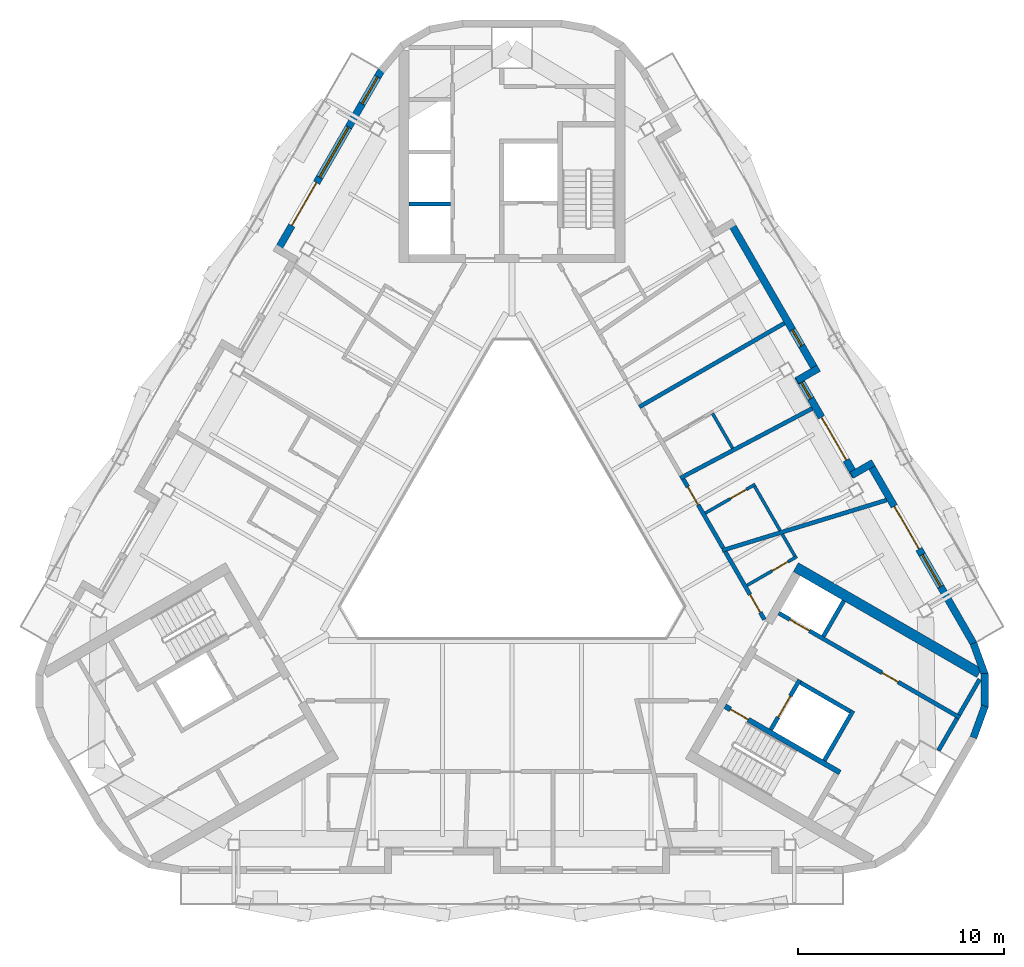
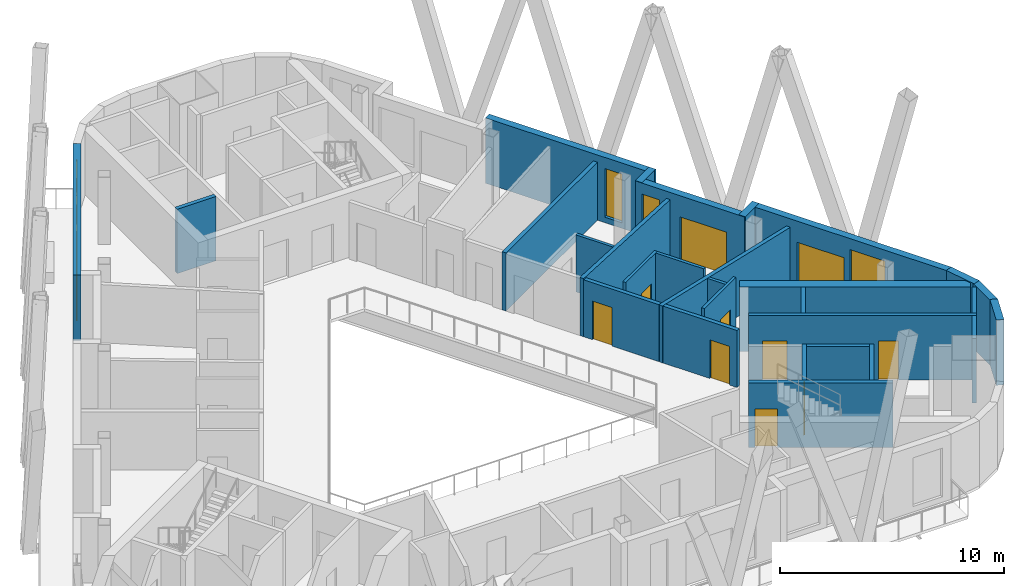
# One storey, part 6 of 12: 29 walls, 11 doors, 5 windows, 16 openings.
"""IFC4 building model written with IfcOpenShell, lengths in metres."""

from ifc_helpers import new_model, si_unit, direction, frame, frame_2d, origin, place, context, subcontext, project, spatial, rectangle, extrude, material, layer, layer_set, type_object, element, fill, save


model = new_model("IFC4")

# Units and contexts
model_context = context("Model", 3, precision=1e-05, world=origin(), true_north=direction((0.0, 1.0)))
body_context = subcontext(model_context, "Body", "Model", "MODEL_VIEW")
ifc_project = project(units=[si_unit("LENGTHUNIT", "METRE"), si_unit("AREAUNIT", "SQUARE_METRE"), si_unit("VOLUMEUNIT", "CUBIC_METRE"), si_unit("PLANEANGLEUNIT", "RADIAN"), si_unit("MASSUNIT", "GRAM", prefix="KILO")], contexts=[model_context])

# Site, building, storey
site_placement = place(None, origin())
site = spatial("IfcSite", under=ifc_project, at=site_placement, CompositionType="ELEMENT")
building_placement = place(site_placement, origin())
building = spatial("IfcBuilding", under=site, at=building_placement, Name="Apuvela Tower Hotel", CompositionType="ELEMENT")
storey_placement = place(building_placement, frame((0.0, 0.0, 302.199951171875)))
storey = spatial("IfcBuildingStorey", under=building, at=storey_placement, Name="L75", CompositionType="ELEMENT", Elevation=302.199951171875)

# Walls
ifc_material_1 = material(Name="Concrete C50/60", Category="concrete")
ifc_layer_1 = layer(ifc_material_1, 0.5)
ifc_layer_set_1 = layer_set([ifc_layer_1], Name="COR-WALL-CORE-500")
wall_type_1 = type_object("IfcWallType", Name="COR-WALL-CORE-500", PredefinedType="SHEAR", material=ifc_layer_set_1)
wall_1_placement = place(storey_placement, frame((13.796630859375, -1.9033203125, 0.0), z_axis=(0.0, 0.0, 1.0), x_axis=(0.866027279078, -0.499996751883, 0.0)))
element("IfcWall", 1, at=wall_1_placement, inside=storey, type_object=wall_type_1, Name="Core wall SE", PredefinedType="SHEAR", context=body_context, shape_type="SweptSolid", body=[
    extrude(rectangle(XDim=10.29833984375, YDim=0.5, at=frame_2d((5.149169921875, 0.0))), origin(), (0.0, 0.0, 1.0), 3.5),
])
ifc_layer_2 = layer(ifc_material_1, 0.199951171875)
ifc_layer_set_2 = layer_set([ifc_layer_2], Name="COR-WALL-SHAFT-200")
wall_type_2 = type_object("IfcWallType", Name="COR-WALL-SHAFT-200", PredefinedType="SHEAR", material=ifc_layer_set_2)
wall_2_placement = place(storey_placement, frame((-3.0, 15.739990234375, 0.0), z_axis=(0.0, 0.0, 1.0), x_axis=(-1.0, 0.0, 0.0)))
element("IfcWall", 2, at=wall_2_placement, inside=storey, type_object=wall_type_2, Name="Shaft wall N", PredefinedType="SHEAR", context=body_context, shape_type="SweptSolid", body=[
    extrude(rectangle(XDim=2.0, YDim=0.199951171875, at=frame_2d((1.0, 0.0))), origin(), (0.0, 0.0, 1.0), 3.5),
])
wall_3_placement = place(storey_placement, frame((15.181396484375, -11.305419921875, 0.0), z_axis=(0.0, 0.0, 1.0), x_axis=(0.49994636267, 0.866056369097, 0.0)))
element("IfcWall", 3, at=wall_3_placement, inside=storey, type_object=wall_type_2, Name="Shaft wall SE", PredefinedType="SHEAR", context=body_context, shape_type="SweptSolid", body=[
    extrude(rectangle(XDim=2.800048828125, YDim=0.199951171875, at=frame_2d((1.39990234375, 0.0))), origin(), (0.0, 0.0, 1.0), 3.5),
])

# Wall, opening, door
wall_4_placement = place(storey_placement, frame((12.583251953125, -9.805419921875, 0.0), z_axis=(0.0, 0.0, 1.0), x_axis=(0.49994636267, 0.866056369097, 0.0)))
wall_4 = element("IfcWall", 4, at=wall_4_placement, inside=storey, type_object=wall_type_2, Name="Shaft wall SE", PredefinedType="SHEAR", context=body_context, shape_type="SweptSolid", body=[
    extrude(rectangle(XDim=2.800048828125, YDim=0.199951171875, at=frame_2d((1.39990234375, 0.0))), origin(), (0.0, 0.0, 1.0), 3.5),
])
opening_1_placement = place(wall_4_placement, frame((0.699951171875, 0.0, 0.0)))
opening_1 = element("IfcOpeningElement", 5, at=opening_1_placement, cuts=wall_4, Name="Opening E-LD-FS3", PredefinedType="OPENING", context=body_context, shape_type="SweptSolid", body=[
    extrude(rectangle(XDim=1.199951171875, YDim=2.10009765625, at=frame_2d((0.60009765625, 1.050048828125))), frame((0.0, 0.10986328125, 0.0), z_axis=(0.0, -1.0, 0.0), x_axis=(1.0, 0.0, 0.0)), (0.0, 0.0, 1.0), 0.219970703125),
])
ifc_material_2 = material(Name="Stainless steel lift landing door", Category="steel")
door_type_1 = type_object("IfcDoorType", Name="COR-LD-1200", OperationType="DOUBLE_DOOR_SLIDING", PredefinedType="DOOR", material=ifc_material_2)
door_1_placement = place(opening_1_placement, origin())
door_1 = element("IfcDoor", 6, at=door_1_placement, inside=storey, type_object=door_type_1, Name="Lift landing door E-LD-FS3", OperationType="DOUBLE_DOOR_SLIDING", OverallHeight=2.10009765625, OverallWidth=1.199951171875, PredefinedType="DOOR", context=body_context, shape_type="SweptSolid", body=[
    extrude(rectangle(XDim=1.199951171875, YDim=2.10009765625, at=frame_2d((0.60009765625, 1.050048828125))), frame((0.0, 0.02490234375, 0.0), z_axis=(0.0, -1.0, 0.0), x_axis=(1.0, 0.0, 0.0)), (0.0, 0.0, 1.0), 0.050048828125),
])
fill(opening_1, door_1)

# Wall
wall_5_placement = place(storey_placement, frame((14.019775390625, -7.51708984375, 0.0), z_axis=(0.0, 0.0, 1.0), x_axis=(0.866034573852, -0.49998411664, 0.0)))
element("IfcWall", 7, at=wall_5_placement, inside=storey, type_object=wall_type_2, Name="Shaft wall SE", PredefinedType="SHEAR", context=body_context, shape_type="SweptSolid", body=[
    extrude(rectangle(XDim=2.7998046875, YDim=0.199951171875, at=frame_2d((1.39990234375, 0.0))), origin(), (0.0, 0.0, 1.0), 3.5),
])

# Wall, openings, doors
wall_6_placement = place(storey_placement, frame((12.968017578125, -4.138427734375, 0.0), z_axis=(0.0, 0.0, 1.0), x_axis=(0.866028328073, -0.49999493495, 0.0)))
wall_6 = element("IfcWall", 8, at=wall_6_placement, inside=storey, type_object=wall_type_2, Name="Shaft wall SE", PredefinedType="SHEAR", context=body_context, shape_type="SweptSolid", body=[
    extrude(rectangle(XDim=10.16015625, YDim=0.199951171875, at=frame_2d((5.080078125, 0.0))), origin(), (0.0, 0.0, 1.0), 3.5),
])
opening_2_placement = place(wall_6_placement, frame((0.6201171875, 0.0, 0.0)))
opening_2 = element("IfcOpeningElement", 9, at=opening_2_placement, cuts=wall_6, Name="Opening E-LD-HR3", PredefinedType="OPENING", context=body_context, shape_type="SweptSolid", body=[
    extrude(rectangle(XDim=1.10009765625, YDim=2.10009765625, at=frame_2d((0.550048828125, 1.050048828125))), frame((0.0, 0.10986328125, 0.0), z_axis=(0.0, -1.0, 0.0), x_axis=(1.0, 0.0, 0.0)), (0.0, 0.0, 1.0), 0.219970703125),
])
opening_3_placement = place(wall_6_placement, frame((5.800048828125, 0.0, 0.0)))
opening_3 = element("IfcOpeningElement", 10, at=opening_3_placement, cuts=wall_6, Name="Opening E-RE2", PredefinedType="OPENING", context=body_context, shape_type="SweptSolid", body=[
    extrude(rectangle(XDim=0.89990234375, YDim=2.10009765625, at=frame_2d((0.449951171875, 1.050048828125))), frame((0.0, 0.10986328125, 0.0), z_axis=(0.0, -1.0, 0.0), x_axis=(1.0, 0.0, 0.0)), (0.0, 0.0, 1.0), 0.219970703125),
])
ifc_material_3 = material(Name="Steel fire door, powder coated", Category="steel")
door_type_2 = type_object("IfcDoorType", Name="COR-DR-900", OperationType="NOTDEFINED", PredefinedType="DOOR", material=ifc_material_3)
door_2_placement = place(opening_3_placement, origin())
door_2 = element("IfcDoor", 11, at=door_2_placement, inside=storey, type_object=door_type_2, Name="Store door E-RE2", OperationType="SINGLE_SWING_LEFT", OverallHeight=2.10009765625, OverallWidth=0.89990234375, PredefinedType="DOOR", context=body_context, shape_type="SweptSolid", body=[
    extrude(rectangle(XDim=0.89990234375, YDim=2.10009765625, at=frame_2d((0.449951171875, 1.050048828125))), frame((0.0, 0.02490234375, 0.0), z_axis=(0.0, -1.0, 0.0), x_axis=(1.0, 0.0, 0.0)), (0.0, 0.0, 1.0), 0.050048828125),
])
fill(opening_3, door_2)
door_type_3 = type_object("IfcDoorType", Name="COR-LD-1100", OperationType="DOUBLE_DOOR_SLIDING", PredefinedType="DOOR", material=ifc_material_2)
door_3_placement = place(opening_2_placement, origin())
door_3 = element("IfcDoor", 12, at=door_3_placement, inside=storey, type_object=door_type_3, Name="Lift landing door E-LD-HR3", OperationType="DOUBLE_DOOR_SLIDING", OverallHeight=2.10009765625, OverallWidth=1.10009765625, PredefinedType="DOOR", context=body_context, shape_type="SweptSolid", body=[
    extrude(rectangle(XDim=1.10009765625, YDim=2.10009765625, at=frame_2d((0.550048828125, 1.050048828125))), frame((0.0, 0.02490234375, 0.0), z_axis=(0.0, -1.0, 0.0), x_axis=(1.0, 0.0, 0.0)), (0.0, 0.0, 1.0), 0.050048828125),
])
fill(opening_2, door_3)

# Walls
wall_7_placement = place(storey_placement, frame((20.73046875, -10.81396484375, 0.0), z_axis=(0.0, 0.0, 1.0), x_axis=(0.499961193289, 0.866047807691, 0.0)))
element("IfcWall", 13, at=wall_7_placement, inside=storey, type_object=wall_type_2, Name="Shaft wall SE", PredefinedType="SHEAR", context=body_context, shape_type="SweptSolid", body=[
    extrude(rectangle(XDim=1.800048828125, YDim=0.199951171875, at=frame_2d((0.89990234375, 0.0))), origin(), (0.0, 0.0, 1.0), 3.5),
])
for number, where, z_axis, x_axis, name in (
    (14, (15.131103515625, -5.27197265625, 0.0), (0.0, 0.0, 1.0), (0.499972520799, 0.866041268327, 0.0), "Shaft wall SE"),
    (15, (21.73046875, -9.081787109375, 0.0), (0.0, 0.0, 1.0), (0.50002537861, 0.866010750942, 0.0), "Shaft wall SE"),
):
    element("IfcWall", number, at=place(storey_placement, frame(where, z_axis=z_axis, x_axis=x_axis)), inside=storey, type_object=wall_type_2, Name=name, PredefinedType="SHEAR", context=body_context, shape_type="SweptSolid", body=[
        extrude(rectangle(XDim=2.0, YDim=0.199951171875, at=frame_2d((1.0, 0.0))), origin(), (0.0, 0.0, 1.0), 3.5),
    ])

# Wall, opening, door
ifc_layer_3 = layer(ifc_material_1, 0.25)
ifc_layer_set_3 = layer_set([ifc_layer_3], Name="COR-WALL-STAIR-250")
wall_type_3 = type_object("IfcWallType", Name="COR-WALL-STAIR-250", PredefinedType="SHEAR", material=ifc_layer_set_3)
wall_8_placement = place(storey_placement, frame((10.355712890625, -8.66357421875, 0.0), z_axis=(0.0, 0.0, 1.0), x_axis=(0.866028629588, -0.499994412703, 0.0)))
wall_8 = element("IfcWall", 16, at=wall_8_placement, inside=storey, type_object=wall_type_3, Name="Stair wall SE", PredefinedType="SHEAR", context=body_context, shape_type="SweptSolid", body=[
    extrude(rectangle(XDim=6.44970703125, YDim=0.25, at=frame_2d((3.224853515625, 0.0))), origin(), (0.0, 0.0, 1.0), 3.5),
])
opening_4_placement = place(wall_8_placement, frame((0.300048828125, 0.0, 0.0)))
opening_4 = element("IfcOpeningElement", 17, at=opening_4_placement, cuts=wall_8, Name="Opening E-SD", PredefinedType="OPENING", context=body_context, shape_type="SweptSolid", body=[
    extrude(rectangle(XDim=1.0, YDim=2.10009765625, at=frame_2d((0.5, 1.050048828125))), frame((0.0, 0.135009765625, 0.0), z_axis=(0.0, -1.0, 0.0), x_axis=(1.0, 0.0, 0.0)), (0.0, 0.0, 1.0), 0.27001953125),
])
door_type_4 = type_object("IfcDoorType", Name="COR-SD-1000", OperationType="NOTDEFINED", PredefinedType="DOOR", material=ifc_material_3)
door_4_placement = place(opening_4_placement, frame((1.0, 0.0, 0.0), z_axis=(0.0, 0.0, 1.0), x_axis=(-1.0, 0.0, 0.0)))
door_4 = element("IfcDoor", 18, at=door_4_placement, inside=storey, type_object=door_type_4, Name="Stair door E-SD", OperationType="SINGLE_SWING_LEFT", OverallHeight=2.10009765625, OverallWidth=1.0, PredefinedType="DOOR", context=body_context, shape_type="SweptSolid", body=[
    extrude(rectangle(XDim=1.0, YDim=2.10009765625, at=frame_2d((0.5, 1.050048828125))), frame((0.0, 0.02490234375, 0.0), z_axis=(0.0, -1.0, 0.0), x_axis=(1.0, 0.0, 0.0)), (0.0, 0.0, 1.0), 0.050048828125),
])
fill(opening_4, door_4)

# Wall, openings, door, windows
ifc_material_4 = material(Name="Concrete C40/50, dark pigmented precast panel", Category="concrete")
ifc_layer_4 = layer(ifc_material_4, 0.35009765625)
ifc_layer_set_4 = layer_set([ifc_layer_4], Name="ENV-WALL-350")
wall_type_4 = type_object("IfcWallType", Name="ENV-WALL-350", PredefinedType="SOLIDWALL", material=ifc_layer_set_4)
wall_9_placement = place(storey_placement, frame((-6.343994140625, 22.251220703125, 0.0), z_axis=(0.0, 0.0, 1.0), x_axis=(-0.499983205548, -0.866035099848, 0.0)))
wall_9 = element("IfcWall", 19, at=wall_9_placement, inside=storey, type_object=wall_type_4, Name="External wall L75-01", PredefinedType="SOLIDWALL", context=body_context, shape_type="SweptSolid", body=[
    extrude(rectangle(XDim=10.239013671875, YDim=0.35009765625, at=frame_2d((5.11962890625, 0.0))), origin(), (0.0, 0.0, 1.0), 3.550048828125),
])
opening_5_placement = place(wall_9_placement, frame((0.381103515625, 0.0, 0.300048828125)))
opening_5 = element("IfcOpeningElement", 20, at=opening_5_placement, cuts=wall_9, Name="Opening WN15", PredefinedType="OPENING", context=body_context, shape_type="SweptSolid", body=[
    extrude(rectangle(XDim=1.5, YDim=2.64990234375, at=frame_2d((0.75, 1.324951171875))), frame((0.0, 0.18505859375, 0.0), z_axis=(0.0, -1.0, 0.0), x_axis=(1.0, 0.0, 0.0)), (0.0, 0.0, 1.0), 0.3701171875),
])
opening_6_placement = place(wall_9_placement, frame((6.314453125, 0.0, 0.0)))
opening_6 = element("IfcOpeningElement", 21, at=opening_6_placement, cuts=wall_9, Name="Opening BD24", PredefinedType="OPENING", context=body_context, shape_type="SweptSolid", body=[
    extrude(rectangle(XDim=2.39990234375, YDim=2.39990234375, at=frame_2d((1.199951171875, 1.199951171875))), frame((0.0, 0.18505859375, 0.0), z_axis=(0.0, -1.0, 0.0), x_axis=(1.0, 0.0, 0.0)), (0.0, 0.0, 1.0), 0.3701171875),
])
opening_7_placement = place(wall_9_placement, frame((3.204833984375, 0.0, 0.300048828125)))
opening_7 = element("IfcOpeningElement", 22, at=opening_7_placement, cuts=wall_9, Name="Opening WN28", PredefinedType="OPENING", context=body_context, shape_type="SweptSolid", body=[
    extrude(rectangle(XDim=2.800048828125, YDim=2.64990234375, at=frame_2d((1.39990234375, 1.324951171875))), frame((0.0, 0.18505859375, 0.0), z_axis=(0.0, -1.0, 0.0), x_axis=(1.0, 0.0, 0.0)), (0.0, 0.0, 1.0), 0.3701171875),
])
ifc_material_5 = material(Name="Aluminium 6063-T6, dark bronze anodised frame with dark tinted laminated glass", Category="aluminium")
door_type_5 = type_object("IfcDoorType", Name="ENV-DOOR-BALCONY-2400x2400", OperationType="SLIDING_TO_LEFT", PredefinedType="DOOR", material=ifc_material_5)
door_5_placement = place(opening_6_placement, frame((2.39990234375, 0.0, 0.0), z_axis=(0.0, 0.0, 1.0), x_axis=(-1.0, 0.0, 0.0)))
door_5 = element("IfcDoor", 23, at=door_5_placement, inside=storey, type_object=door_type_5, Name="Balcony door BD24", OperationType="SLIDING_TO_LEFT", OverallHeight=2.39990234375, OverallWidth=2.39990234375, PredefinedType="DOOR", context=body_context, shape_type="SweptSolid", body=[
    extrude(rectangle(XDim=2.39990234375, YDim=2.39990234375, at=frame_2d((1.199951171875, 1.199951171875))), frame((0.0, 0.02490234375, 0.0), z_axis=(0.0, -1.0, 0.0), x_axis=(1.0, 0.0, 0.0)), (0.0, 0.0, 1.0), 0.050048828125),
])
fill(opening_6, door_5)
ifc_material_6 = material(Name="Glass, dark tinted laminated insulated glazing unit", Category="glass")
window_type_1 = type_object("IfcWindowType", Name="ENV-WIN-1500x2650", PartitioningType="SINGLE_PANEL", PredefinedType="WINDOW", material=ifc_material_6)
window_1_placement = place(opening_5_placement, origin())
window_1 = element("IfcWindow", 24, at=window_1_placement, inside=storey, type_object=window_type_1, Name="Window WN15", OverallHeight=2.64990234375, OverallWidth=1.5, PartitioningType="SINGLE_PANEL", PredefinedType="WINDOW", context=body_context, shape_type="SweptSolid", body=[
    extrude(rectangle(XDim=1.5, YDim=2.64990234375, at=frame_2d((0.75, 1.324951171875))), frame((0.0, 0.030029296875, 0.0), z_axis=(0.0, -1.0, 0.0), x_axis=(1.0, 0.0, 0.0)), (0.0, 0.0, 1.0), 0.06005859375),
])
fill(opening_5, window_1)
window_type_2 = type_object("IfcWindowType", Name="ENV-WIN-2800x2650", PartitioningType="SINGLE_PANEL", PredefinedType="WINDOW", material=ifc_material_6)
window_2_placement = place(opening_7_placement, origin())
window_2 = element("IfcWindow", 25, at=window_2_placement, inside=storey, type_object=window_type_2, Name="Window WN28", OverallHeight=2.64990234375, OverallWidth=2.800048828125, PartitioningType="SINGLE_PANEL", PredefinedType="WINDOW", context=body_context, shape_type="SweptSolid", body=[
    extrude(rectangle(XDim=2.800048828125, YDim=2.64990234375, at=frame_2d((1.39990234375, 1.324951171875))), frame((0.0, 0.030029296875, 0.0), z_axis=(0.0, -1.0, 0.0), x_axis=(1.0, 0.0, 0.0)), (0.0, 0.0, 1.0), 0.06005859375),
])
fill(opening_7, window_2)

# Walls
for number, where, z_axis, x_axis, name in (
    (26, (22.42919921875, -10.189697265625, 0.0), (0.0, 0.0, 1.0), (0.341970966071, 0.939710518386, 0.0), "External wall L75-30"),
    (27, (22.977294921875, -8.7138671875, 0.0), (0.0, 0.0, 1.0), (0.0, 1.0, 0.0), "External wall L75-31"),
    (28, (22.988037109375, -7.1396484375, 0.0), (0.0, 0.0, 1.0), (-0.34192296291, 0.939727985874, 0.0), "External wall L75-32"),
):
    element("IfcWall", number, at=place(storey_placement, frame(where, z_axis=z_axis, x_axis=x_axis)), inside=storey, type_object=wall_type_4, Name=name, PredefinedType="SOLIDWALL", context=body_context, shape_type="SweptSolid", body=[
        extrude(rectangle(XDim=1.63427734375, YDim=0.35009765625, at=frame_2d((0.817138671875, 0.0))), origin(), (0.0, 0.0, 1.0), 3.550048828125),
    ])

# Wall, openings, door, window
wall_10_placement = place(storey_placement, frame((22.44189453125, -5.631591796875, 0.0), z_axis=(0.0, 0.0, 1.0), x_axis=(-0.499983205548, 0.866035099848, 0.0)))
wall_10 = element("IfcWall", 29, at=wall_10_placement, inside=storey, type_object=wall_type_4, Name="External wall L75-33", PredefinedType="SOLIDWALL", context=body_context, shape_type="SweptSolid", body=[
    extrude(rectangle(XDim=10.239013671875, YDim=0.35009765625, at=frame_2d((5.11962890625, 0.0))), origin(), (0.0, 0.0, 1.0), 3.550048828125),
])
opening_8_placement = place(wall_10_placement, frame((5.3203125, 0.0, 0.0)))
opening_8 = element("IfcOpeningElement", 30, at=opening_8_placement, cuts=wall_10, Name="Opening BD24", PredefinedType="OPENING", context=body_context, shape_type="SweptSolid", body=[
    extrude(rectangle(XDim=2.39990234375, YDim=2.39990234375, at=frame_2d((1.199951171875, 1.199951171875))), frame((0.0, 0.18505859375, 0.0), z_axis=(0.0, -1.0, 0.0), x_axis=(1.0, 0.0, 0.0)), (0.0, 0.0, 1.0), 0.3701171875),
])
opening_9_placement = place(wall_10_placement, frame((3.205078125, 0.0, 0.300048828125)))
opening_9 = element("IfcOpeningElement", 31, at=opening_9_placement, cuts=wall_10, Name="Opening WN18", PredefinedType="OPENING", context=body_context, shape_type="SweptSolid", body=[
    extrude(rectangle(XDim=1.800048828125, YDim=2.64990234375, at=frame_2d((0.89990234375, 1.324951171875))), frame((0.0, 0.18505859375, 0.0), z_axis=(0.0, -1.0, 0.0), x_axis=(1.0, 0.0, 0.0)), (0.0, 0.0, 1.0), 0.3701171875),
])
door_6_placement = place(opening_8_placement, frame((2.39990234375, 0.0, 0.0), z_axis=(0.0, 0.0, 1.0), x_axis=(-1.0, 0.0, 0.0)))
door_6 = element("IfcDoor", 32, at=door_6_placement, inside=storey, type_object=door_type_5, Name="Balcony door BD24", OperationType="SLIDING_TO_LEFT", OverallHeight=2.39990234375, OverallWidth=2.39990234375, PredefinedType="DOOR", context=body_context, shape_type="SweptSolid", body=[
    extrude(rectangle(XDim=2.39990234375, YDim=2.39990234375, at=frame_2d((1.199951171875, 1.199951171875))), frame((0.0, 0.02490234375, 0.0), z_axis=(0.0, -1.0, 0.0), x_axis=(1.0, 0.0, 0.0)), (0.0, 0.0, 1.0), 0.050048828125),
])
fill(opening_8, door_6)
window_type_3 = type_object("IfcWindowType", Name="ENV-WIN-1800x2650", PartitioningType="SINGLE_PANEL", PredefinedType="WINDOW", material=ifc_material_6)
window_3_placement = place(opening_9_placement, origin())
window_3 = element("IfcWindow", 33, at=window_3_placement, inside=storey, type_object=window_type_3, Name="Window WN18", OverallHeight=2.64990234375, OverallWidth=1.800048828125, PartitioningType="SINGLE_PANEL", PredefinedType="WINDOW", context=body_context, shape_type="SweptSolid", body=[
    extrude(rectangle(XDim=1.800048828125, YDim=2.64990234375, at=frame_2d((0.89990234375, 1.324951171875))), frame((0.0, 0.030029296875, 0.0), z_axis=(0.0, -1.0, 0.0), x_axis=(1.0, 0.0, 0.0)), (0.0, 0.0, 1.0), 0.06005859375),
])
fill(opening_9, window_3)

# Wall
wall_11_placement = place(storey_placement, frame((17.5615234375, 3.171875, 0.0), z_axis=(0.0, 0.0, 1.0), x_axis=(-0.866005645448, -0.500034220881, 0.0)))
element("IfcWall", 34, at=wall_11_placement, inside=storey, type_object=wall_type_4, Name="External wall L75-34", PredefinedType="SOLIDWALL", context=body_context, shape_type="SweptSolid", body=[
    extrude(rectangle(XDim=1.22021484375, YDim=0.35009765625, at=frame_2d((0.610107421875, 0.0))), origin(), (0.0, 0.0, 1.0), 3.550048828125),
])

# Wall, openings, door, window
wall_12_placement = place(storey_placement, frame((16.702880859375, 2.5087890625, 0.0), z_axis=(0.0, 0.0, 1.0), x_axis=(-0.499975351079, 0.866039634378, 0.0)))
wall_12 = element("IfcWall", 35, at=wall_12_placement, inside=storey, type_object=wall_type_4, Name="External wall L75-35", PredefinedType="SOLIDWALL", context=body_context, shape_type="SweptSolid", body=[
    extrude(rectangle(XDim=5.598876953125, YDim=0.35009765625, at=frame_2d((2.79931640625, 0.0))), origin(), (0.0, 0.0, 1.0), 3.550048828125),
])
opening_10_placement = place(wall_12_placement, frame((0.91650390625, 0.0, 0.0)))
opening_10 = element("IfcOpeningElement", 36, at=opening_10_placement, cuts=wall_12, Name="Opening BD24", PredefinedType="OPENING", context=body_context, shape_type="SweptSolid", body=[
    extrude(rectangle(XDim=2.39990234375, YDim=2.39990234375, at=frame_2d((1.199951171875, 1.199951171875))), frame((0.0, 0.18505859375, 0.0), z_axis=(0.0, -1.0, 0.0), x_axis=(1.0, 0.0, 0.0)), (0.0, 0.0, 1.0), 0.3701171875),
])
opening_11_placement = place(wall_12_placement, frame((4.36279296875, 0.0, 0.300048828125)))
opening_11 = element("IfcOpeningElement", 37, at=opening_11_placement, cuts=wall_12, Name="Opening WN09", PredefinedType="OPENING", context=body_context, shape_type="SweptSolid", body=[
    extrude(rectangle(XDim=0.89990234375, YDim=2.64990234375, at=frame_2d((0.449951171875, 1.324951171875))), frame((0.0, 0.18505859375, 0.0), z_axis=(0.0, -1.0, 0.0), x_axis=(1.0, 0.0, 0.0)), (0.0, 0.0, 1.0), 0.3701171875),
])
door_7_placement = place(opening_10_placement, frame((2.39990234375, 0.0, 0.0), z_axis=(0.0, 0.0, 1.0), x_axis=(-1.0, 0.0, 0.0)))
door_7 = element("IfcDoor", 38, at=door_7_placement, inside=storey, type_object=door_type_5, Name="Balcony door BD24", OperationType="SLIDING_TO_LEFT", OverallHeight=2.39990234375, OverallWidth=2.39990234375, PredefinedType="DOOR", context=body_context, shape_type="SweptSolid", body=[
    extrude(rectangle(XDim=2.39990234375, YDim=2.39990234375, at=frame_2d((1.199951171875, 1.199951171875))), frame((0.0, 0.02490234375, 0.0), z_axis=(0.0, -1.0, 0.0), x_axis=(1.0, 0.0, 0.0)), (0.0, 0.0, 1.0), 0.050048828125),
])
fill(opening_10, door_7)
window_type_4 = type_object("IfcWindowType", Name="ENV-WIN-900x2650", PartitioningType="SINGLE_PANEL", PredefinedType="WINDOW", material=ifc_material_6)
window_4_placement = place(opening_11_placement, origin())
window_4 = element("IfcWindow", 39, at=window_4_placement, inside=storey, type_object=window_type_4, Name="Window WN09", OverallHeight=2.64990234375, OverallWidth=0.89990234375, PartitioningType="SINGLE_PANEL", PredefinedType="WINDOW", context=body_context, shape_type="SweptSolid", body=[
    extrude(rectangle(XDim=0.89990234375, YDim=2.64990234375, at=frame_2d((0.449951171875, 1.324951171875))), frame((0.0, 0.030029296875, 0.0), z_axis=(0.0, -1.0, 0.0), x_axis=(1.0, 0.0, 0.0)), (0.0, 0.0, 1.0), 0.06005859375),
])
fill(opening_11, window_4)

# Wall
wall_13_placement = place(storey_placement, frame((13.850341796875, 7.159423828125, 0.0), z_axis=(0.0, 0.0, 1.0), x_axis=(0.866005645448, 0.500034220881, 0.0)))
element("IfcWall", 40, at=wall_13_placement, inside=storey, type_object=wall_type_4, Name="External wall L75-36", PredefinedType="SOLIDWALL", context=body_context, shape_type="SweptSolid", body=[
    extrude(rectangle(XDim=1.22021484375, YDim=0.35009765625, at=frame_2d((0.610107421875, 0.0))), origin(), (0.0, 0.0, 1.0), 3.550048828125),
])

# Wall, opening, window
wall_14_placement = place(storey_placement, frame((14.843017578125, 7.530517578125, 0.0), z_axis=(0.0, 0.0, 1.0), x_axis=(-0.500013816581, 0.866017426631, 0.0)))
wall_14 = element("IfcWall", 41, at=wall_14_placement, inside=storey, type_object=wall_type_4, Name="External wall L75-37", PredefinedType="SOLIDWALL", context=body_context, shape_type="SweptSolid", body=[
    extrude(rectangle(XDim=8.558837890625, YDim=0.35009765625, at=frame_2d((4.279296875, 0.0))), origin(), (0.0, 0.0, 1.0), 3.550048828125),
])
opening_12_placement = place(wall_14_placement, frame((1.524658203125, 0.0, 0.300048828125)))
opening_12 = element("IfcOpeningElement", 42, at=opening_12_placement, cuts=wall_14, Name="Opening WN09", PredefinedType="OPENING", context=body_context, shape_type="SweptSolid", body=[
    extrude(rectangle(XDim=0.89990234375, YDim=2.64990234375, at=frame_2d((0.449951171875, 1.324951171875))), frame((0.0, 0.18505859375, 0.0), z_axis=(0.0, -1.0, 0.0), x_axis=(1.0, 0.0, 0.0)), (0.0, 0.0, 1.0), 0.3701171875),
])
window_5_placement = place(opening_12_placement, origin())
window_5 = element("IfcWindow", 43, at=window_5_placement, inside=storey, type_object=window_type_4, Name="Window WN09", OverallHeight=2.64990234375, OverallWidth=0.89990234375, PartitioningType="SINGLE_PANEL", PredefinedType="WINDOW", context=body_context, shape_type="SweptSolid", body=[
    extrude(rectangle(XDim=0.89990234375, YDim=2.64990234375, at=frame_2d((0.449951171875, 1.324951171875))), frame((0.0, 0.030029296875, 0.0), z_axis=(0.0, -1.0, 0.0), x_axis=(1.0, 0.0, 0.0)), (0.0, 0.0, 1.0), 0.06005859375),
])
fill(opening_12, window_5)

# Walls
ifc_material_7 = material(Name="Gypsum board partition on twin steel stud", Category="steel")
ifc_layer_5 = layer(ifc_material_7, 0.199951171875)
ifc_layer_set_5 = layer_set([ifc_layer_5], Name="GST-PW1")
wall_type_5 = type_object("IfcWallType", Name="GST-PW1", PredefinedType="PARTITIONING", material=ifc_layer_set_5)
wall_15_placement = place(storey_placement, frame((18.206298828125, 1.354736328125, 0.0), z_axis=(0.0, 0.0, 1.0), x_axis=(-0.956150885444, -0.292874519658, 0.0)))
element("IfcWall", 44, at=wall_15_placement, inside=storey, type_object=wall_type_5, Name="L75 partition 05", PredefinedType="PARTITIONING", context=body_context, shape_type="SweptSolid", body=[
    extrude(rectangle(XDim=8.357666015625, YDim=0.199951171875, at=frame_2d((4.1787109375, 0.0))), origin(), (0.0, 0.0, 1.0), 3.10009765625),
])
wall_16_placement = place(storey_placement, frame((14.594970703125, 5.809814453125, 0.0), z_axis=(0.0, 0.0, 1.0), x_axis=(-0.884286267242, -0.46694517619, 0.0)))
element("IfcWall", 45, at=wall_16_placement, inside=storey, type_object=wall_type_5, Name="L75 partition 06", PredefinedType="PARTITIONING", context=body_context, shape_type="SweptSolid", body=[
    extrude(rectangle(XDim=7.249755859375, YDim=0.199951171875, at=frame_2d((3.625, 0.0))), origin(), (0.0, 0.0, 1.0), 3.16015625),
])
wall_17_placement = place(storey_placement, frame((13.241455078125, 9.954345703125, 0.0), z_axis=(0.0, 0.0, 1.0), x_axis=(-0.866028345359, -0.499994905008, 0.0)))
element("IfcWall", 46, at=wall_17_placement, inside=storey, type_object=wall_type_5, Name="L75 partition 07", PredefinedType="PARTITIONING", context=body_context, shape_type="SweptSolid", body=[
    extrude(rectangle(XDim=8.14453125, YDim=0.199951171875, at=frame_2d((4.072265625, 0.0))), origin(), (0.0, 0.0, 1.0), 3.16015625),
])

# Wall, opening, door
ifc_material_8 = material(Name="Gypsum board corridor wall on twin steel stud, acoustic", Category="steel")
ifc_layer_6 = layer(ifc_material_8, 0.199951171875)
ifc_layer_set_6 = layer_set([ifc_layer_6], Name="GST-PW2")
wall_type_6 = type_object("IfcWallType", Name="GST-PW2", PredefinedType="PARTITIONING", material=ifc_layer_set_6)
wall_18_placement = place(storey_placement, frame((10.364501953125, -1.151611328125, 0.0), z_axis=(0.0, 0.0, 1.0), x_axis=(0.499999897272, -0.866025463095, 0.0)))
wall_18 = element("IfcWall", 47, at=wall_18_placement, inside=storey, type_object=wall_type_6, Name="L75 partition 23", PredefinedType="PARTITIONING", context=body_context, shape_type="SweptSolid", body=[
    extrude(rectangle(XDim=3.80859375, YDim=0.199951171875, at=frame_2d((1.904296875, 0.0))), origin(), (0.0, 0.0, 1.0), 3.10009765625),
])
opening_13_placement = place(wall_18_placement, frame((2.40869140625, 0.0, 0.0)))
opening_13 = element("IfcOpeningElement", 48, at=opening_13_placement, cuts=wall_18, Name="Opening GD31-09", PredefinedType="OPENING", context=body_context, shape_type="SweptSolid", body=[
    extrude(rectangle(XDim=1.0, YDim=2.10009765625, at=frame_2d((0.5, 1.050048828125))), frame((0.0, 0.10986328125, 0.0), z_axis=(0.0, -1.0, 0.0), x_axis=(1.0, 0.0, 0.0)), (0.0, 0.0, 1.0), 0.219970703125),
])
ifc_material_9 = material(Name="Timber door leaf in steel frame", Category="steel")
door_type_6 = type_object("IfcDoorType", Name="GST-D1", OperationType="NOTDEFINED", PredefinedType="DOOR", material=ifc_material_9)
door_8_placement = place(opening_13_placement, origin())
door_8 = element("IfcDoor", 49, at=door_8_placement, inside=storey, type_object=door_type_6, Name="Door L75-09", OperationType="SINGLE_SWING_RIGHT", OverallHeight=2.10009765625, OverallWidth=1.0, PredefinedType="DOOR", context=body_context, shape_type="SweptSolid", body=[
    extrude(rectangle(XDim=1.0, YDim=2.10009765625, at=frame_2d((0.5, 1.050048828125))), frame((0.0, 0.02490234375, 0.0), z_axis=(0.0, -1.0, 0.0), x_axis=(1.0, 0.0, 0.0)), (0.0, 0.0, 1.0), 0.050048828125),
])
fill(opening_13, door_8)

wall_19_placement = place(storey_placement, frame((8.32275390625, 2.384521484375, 0.0), z_axis=(0.0, 0.0, 1.0), x_axis=(0.499998569178, -0.866026229868, 0.0)))
wall_19 = element("IfcWall", 50, at=wall_19_placement, inside=storey, type_object=wall_type_6, Name="L75 partition 26", PredefinedType="PARTITIONING", context=body_context, shape_type="SweptSolid", body=[
    extrude(rectangle(XDim=3.8779296875, YDim=0.199951171875, at=frame_2d((1.93896484375, 0.0))), origin(), (0.0, 0.0, 1.0), 3.10009765625),
])
opening_14_placement = place(wall_19_placement, frame((0.451171875, 0.0, 0.0)))
opening_14 = element("IfcOpeningElement", 51, at=opening_14_placement, cuts=wall_19, Name="Opening GD31-11", PredefinedType="OPENING", context=body_context, shape_type="SweptSolid", body=[
    extrude(rectangle(XDim=1.0, YDim=2.10009765625, at=frame_2d((0.5, 1.050048828125))), frame((0.0, 0.10986328125, 0.0), z_axis=(0.0, -1.0, 0.0), x_axis=(1.0, 0.0, 0.0)), (0.0, 0.0, 1.0), 0.219970703125),
])
door_9_placement = place(opening_14_placement, origin())
door_9 = element("IfcDoor", 52, at=door_9_placement, inside=storey, type_object=door_type_6, Name="Door L75-11", OperationType="SINGLE_SWING_LEFT", OverallHeight=2.10009765625, OverallWidth=1.0, PredefinedType="DOOR", context=body_context, shape_type="SweptSolid", body=[
    extrude(rectangle(XDim=1.0, YDim=2.10009765625, at=frame_2d((0.5, 1.050048828125))), frame((0.0, 0.02490234375, 0.0), z_axis=(0.0, -1.0, 0.0), x_axis=(1.0, 0.0, 0.0)), (0.0, 0.0, 1.0), 0.050048828125),
])
fill(opening_14, door_9)

ifc_material_10 = material(Name="Moisture-resistant gypsum board wet wall on steel stud", Category="steel")
ifc_layer_7 = layer(ifc_material_10, 0.14990234375)
ifc_layer_set_7 = layer_set([ifc_layer_7], Name="GST-PW3")
wall_type_7 = type_object("IfcWallType", Name="GST-PW3", PredefinedType="PARTITIONING", material=ifc_layer_set_7)
wall_20_placement = place(storey_placement, frame((11.425048828125, -2.788818359375, 0.0), z_axis=(0.0, 0.0, 1.0), x_axis=(0.865996816683, 0.500049511043, 0.0)))
wall_20 = element("IfcWall", 53, at=wall_20_placement, inside=storey, type_object=wall_type_7, Name="L75 partition 24", PredefinedType="PARTITIONING", context=body_context, shape_type="SweptSolid", body=[
    extrude(rectangle(XDim=2.800048828125, YDim=0.14990234375, at=frame_2d((1.39990234375, 0.0))), origin(), (0.0, 0.0, 1.0), 3.550048828125),
])
opening_15_placement = place(wall_20_placement, frame((1.39990234375, 0.0, 0.0)))
opening_15 = element("IfcOpeningElement", 54, at=opening_15_placement, cuts=wall_20, Name="Opening GD31-08", PredefinedType="OPENING", context=body_context, shape_type="SweptSolid", body=[
    extrude(rectangle(XDim=0.89990234375, YDim=2.10009765625, at=frame_2d((0.449951171875, 1.050048828125))), frame((0.0, 0.0849609375, 0.0), z_axis=(0.0, -1.0, 0.0), x_axis=(1.0, 0.0, 0.0)), (0.0, 0.0, 1.0), 0.169921875),
])
door_type_7 = type_object("IfcDoorType", Name="GST-D2", OperationType="NOTDEFINED", PredefinedType="DOOR", material=ifc_material_9)
door_10_placement = place(opening_15_placement, origin())
door_10 = element("IfcDoor", 55, at=door_10_placement, inside=storey, type_object=door_type_7, Name="Door L75-08", OperationType="SINGLE_SWING_RIGHT", OverallHeight=2.10009765625, OverallWidth=0.89990234375, PredefinedType="DOOR", context=body_context, shape_type="SweptSolid", body=[
    extrude(rectangle(XDim=0.89990234375, YDim=2.10009765625, at=frame_2d((0.449951171875, 1.050048828125))), frame((0.0, 0.02490234375, 0.0), z_axis=(0.0, -1.0, 0.0), x_axis=(1.0, 0.0, 0.0)), (0.0, 0.0, 1.0), 0.050048828125),
])
fill(opening_15, door_10)

# Wall
wall_21_placement = place(storey_placement, frame((13.747314453125, -1.361328125, 0.0), z_axis=(0.0, 0.0, 1.0), x_axis=(-0.499941460885, 0.86605919872, 0.0)))
element("IfcWall", 56, at=wall_21_placement, inside=storey, type_object=wall_type_7, Name="L75 partition 25", PredefinedType="PARTITIONING", context=body_context, shape_type="SweptSolid", body=[
    extrude(rectangle(XDim=1.222412109375, YDim=0.14990234375, at=frame_2d((0.611328125, 0.0))), origin(), (0.0, 0.0, 1.0), 3.10009765625),
])

# Wall, opening, door
wall_22_placement = place(storey_placement, frame((11.822265625, 2.123291015625, 0.0), z_axis=(0.0, 0.0, 1.0), x_axis=(-0.865996816683, -0.500049511043, 0.0)))
wall_22 = element("IfcWall", 57, at=wall_22_placement, inside=storey, type_object=wall_type_7, Name="L75 partition 27", PredefinedType="PARTITIONING", context=body_context, shape_type="SweptSolid", body=[
    extrude(rectangle(XDim=2.800048828125, YDim=0.14990234375, at=frame_2d((1.39990234375, 0.0))), origin(), (0.0, 0.0, 1.0), 3.550048828125),
])
opening_16_placement = place(wall_22_placement, frame((0.5, 0.0, 0.0)))
opening_16 = element("IfcOpeningElement", 58, at=opening_16_placement, cuts=wall_22, Name="Opening GD31-10", PredefinedType="OPENING", context=body_context, shape_type="SweptSolid", body=[
    extrude(rectangle(XDim=0.89990234375, YDim=2.10009765625, at=frame_2d((0.449951171875, 1.050048828125))), frame((0.0, 0.0849609375, 0.0), z_axis=(0.0, -1.0, 0.0), x_axis=(1.0, 0.0, 0.0)), (0.0, 0.0, 1.0), 0.169921875),
])
door_11_placement = place(opening_16_placement, origin())
door_11 = element("IfcDoor", 59, at=door_11_placement, inside=storey, type_object=door_type_7, Name="Door L75-10", OperationType="SINGLE_SWING_LEFT", OverallHeight=2.10009765625, OverallWidth=0.89990234375, PredefinedType="DOOR", context=body_context, shape_type="SweptSolid", body=[
    extrude(rectangle(XDim=0.89990234375, YDim=2.10009765625, at=frame_2d((0.449951171875, 1.050048828125))), frame((0.0, 0.02490234375, 0.0), z_axis=(0.0, -1.0, 0.0), x_axis=(1.0, 0.0, 0.0)), (0.0, 0.0, 1.0), 0.050048828125),
])
fill(opening_16, door_11)

# Walls
wall_23_placement = place(storey_placement, frame((13.03369140625, -0.125, 0.0), z_axis=(0.0, 0.0, 1.0), x_axis=(-0.499975499923, 0.866039548448, 0.0)))
element("IfcWall", 60, at=wall_23_placement, inside=storey, type_object=wall_type_7, Name="L75 partition 28", PredefinedType="PARTITIONING", context=body_context, shape_type="SweptSolid", body=[
    extrude(rectangle(XDim=2.4775390625, YDim=0.14990234375, at=frame_2d((1.23876953125, 0.0))), origin(), (0.0, 0.0, 1.0), 3.550048828125),
])
wall_24_placement = place(storey_placement, frame((10.722412109375, 3.8779296875, 0.0), z_axis=(0.0, 0.0, 1.0), x_axis=(-0.49992486272, 0.866068779967, 0.0)))
element("IfcWall", 61, at=wall_24_placement, inside=storey, type_object=wall_type_7, Name="L75 partition 31", PredefinedType="PARTITIONING", context=body_context, shape_type="SweptSolid", body=[
    extrude(rectangle(XDim=1.948974609375, YDim=0.14990234375, at=frame_2d((0.974609375, 0.0))), origin(), (0.0, 0.0, 1.0), 3.10009765625),
])

save(model, "model.ifc")
